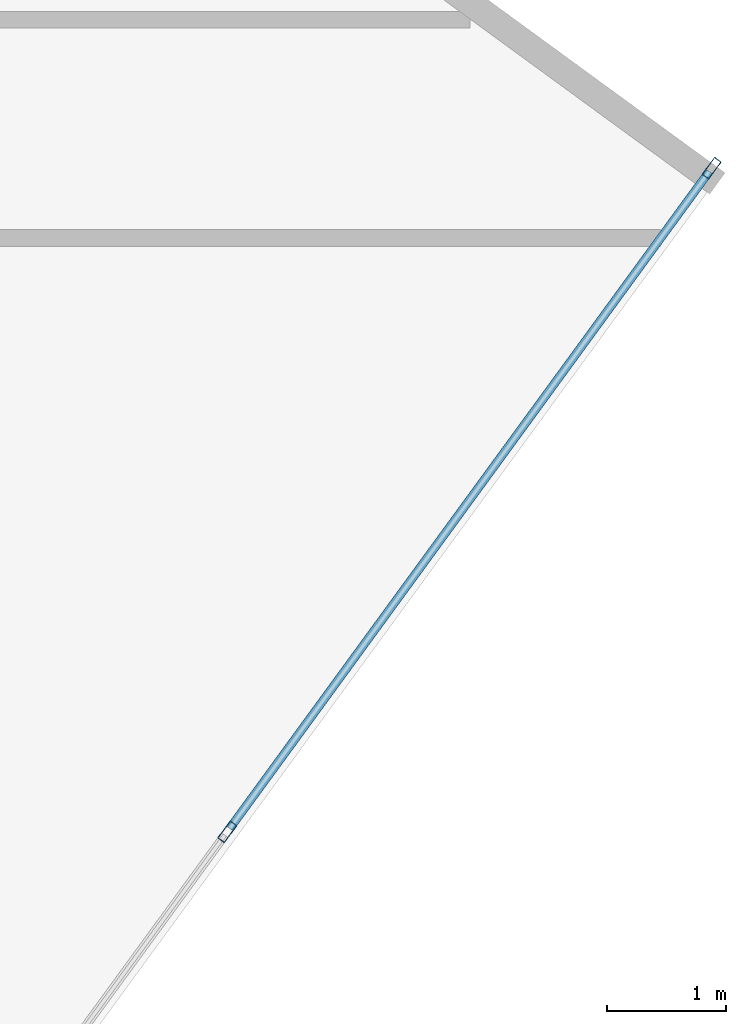
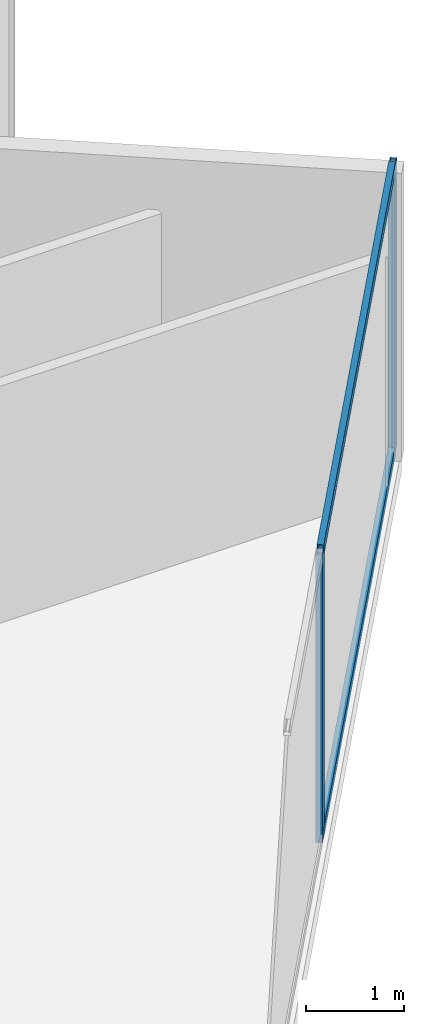
# One storey, part 11 of 25: 4 members, 1 element without a shape of its own.
"""IFC4 building model written with IfcOpenShell, lengths in metres."""

from ifc_helpers import new_model, si_unit, direction, frame, origin, origin_2d, place, context, subcontext, project, spatial, hollow_rectangle, extrude, source, transform, mapped, material, material_profile, profile_set, type_object, type_shapes, element, aggregate, save


model = new_model("IFC4")

# Units and contexts
model_context = context("Model", 3, precision=1e-05, world=origin(), true_north=direction((0.0, 1.0)))
body_context = subcontext(model_context, "Body", "Model", "MODEL_VIEW")
ifc_project = project(units=[si_unit("LENGTHUNIT", "METRE"), si_unit("AREAUNIT", "SQUARE_METRE"), si_unit("VOLUMEUNIT", "CUBIC_METRE"), si_unit("PLANEANGLEUNIT", "RADIAN"), si_unit("MASSUNIT", "GRAM", prefix="KILO")], contexts=[model_context])

# Site, building, storey
site_placement = place(None, origin())
site = spatial("IfcSite", under=ifc_project, at=site_placement, CompositionType="ELEMENT")
building_placement = place(site_placement, origin())
building = spatial("IfcBuilding", under=site, at=building_placement, Name="Krantzveldt Concourse Tower", CompositionType="ELEMENT")
storey_placement = place(building_placement, frame((0.0, 0.0, 197.550048828125)))
storey = spatial("IfcBuildingStorey", under=building, at=storey_placement, Name="L48", CompositionType="ELEMENT", Elevation=197.550048828125)

# Curtain wall, members
ifc_material = material(Name="Anodised aluminium 6063-T6", Category="aluminium")
curtain_wall_type = type_object("IfcCurtainWallType", Name="CW3", PredefinedType="USERDEFINED", material=ifc_material)
curtain_wall_placement = place(storey_placement, origin())
curtain_wall = element("IfcCurtainWall", 1, at=curtain_wall_placement, inside=storey, type_object=curtain_wall_type, Name="CW-L48-F07", ObjectType="UNITISED CURTAIN WALL", PredefinedType="USERDEFINED")
ifc_material_profile_1 = material_profile(ifc_material, hollow_rectangle(XDim=0.070068359375, YDim=0.179931640625, WallThickness=0.0048828125, at=origin_2d()), Name="Anodised aluminium 6063-T6", Category="aluminium")
ifc_profile_set_1 = profile_set([ifc_material_profile_1], Name="Anodised aluminium 6063-T6 - ALU-MULL 180x70x5")
member_type_1 = type_object("IfcMemberType", Name="CW-MUL-180", PredefinedType="MULLION", material=ifc_profile_set_1)
shared_shape_1 = source(origin(), body_context, "Body", "SweptSolid", [
    extrude(hollow_rectangle(XDim=0.070068359375, YDim=0.179931640625, WallThickness=0.0048828125, at=origin_2d()), origin(), (0.0, 0.0, 1.0), 3.58984375),
])
type_shapes(member_type_1, [shared_shape_1])
member_1_placement = place(storey_placement, frame((59.771484375, 22.274658203125, 0.0), z_axis=(0.0, 0.0, 1.0), x_axis=(-0.807732735781, 0.589548833895, 0.0)))
member_1 = element("IfcMember", 2, at=member_1_placement, type_object=member_type_1, Name="CW-Z34 mullion 5", PredefinedType="MULLION", context=body_context, shape_type="MappedRepresentation", body=[
    mapped(shared_shape_1, transform((0.0, 0.0, 0.0), x_axis=(1.0, 0.0, 0.0), y_axis=(0.0, 1.0, 0.0), z_axis=(0.0, 0.0, 1.0), scale=1.0)),
])
member_2_placement = place(storey_placement, frame((63.854248046875, 27.8681640625, 0.0), z_axis=(0.0, 0.0, 1.0), x_axis=(-0.807732735781, 0.589548833895, 0.0)))
member_2 = element("IfcMember", 3, at=member_2_placement, type_object=member_type_1, Name="CW-Z34 mullion 6", PredefinedType="MULLION", context=body_context, shape_type="MappedRepresentation", body=[
    mapped(shared_shape_1, transform((0.0, 0.0, 0.0), x_axis=(1.0, 0.0, 0.0), y_axis=(0.0, 1.0, 0.0), z_axis=(0.0, 0.0, 1.0), scale=1.0)),
])
ifc_material_profile_2 = material_profile(ifc_material, hollow_rectangle(XDim=0.070068359375, YDim=0.139892578125, WallThickness=0.0048828125, at=origin_2d()), Name="Anodised aluminium 6063-T6", Category="aluminium")
ifc_profile_set_2 = profile_set([ifc_material_profile_2], Name="Anodised aluminium 6063-T6 - ALU-TRAN 140x70x5")
member_type_2 = type_object("IfcMemberType", Name="CW-TRN-150", PredefinedType="USERDEFINED", material=ifc_profile_set_2)
shared_shape_2 = source(origin(), body_context, "Body", "SweptSolid", [
    extrude(hollow_rectangle(XDim=0.070068359375, YDim=0.139892578125, WallThickness=0.0048828125, at=origin_2d()), origin(), (0.0, 0.0, 1.0), 6.854736328125),
])
type_shapes(member_type_2, [shared_shape_2])
member_3_placement = place(storey_placement, frame((59.792236328125, 22.302978515625, 0.034912109375), z_axis=(0.589549465973, 0.807732274439, 0.0), x_axis=(-0.807732274439, 0.589549465973, 0.0)))
member_3 = element("IfcMember", 4, at=member_3_placement, type_object=member_type_2, Name="CW-Z34 transom 5.1", ObjectType="TRANSOM", PredefinedType="USERDEFINED", context=body_context, shape_type="MappedRepresentation", body=[
    mapped(shared_shape_2, transform((0.0, 0.0, 0.0), x_axis=(1.0, 0.0, 0.0), y_axis=(0.0, 1.0, 0.0), z_axis=(0.0, 0.0, 1.0), scale=1.0)),
])
member_4_placement = place(storey_placement, frame((59.792236328125, 22.302978515625, 3.554931640625), z_axis=(0.589549465973, 0.807732274439, 0.0), x_axis=(-0.807732274439, 0.589549465973, 0.0)))
member_4 = element("IfcMember", 5, at=member_4_placement, type_object=member_type_2, Name="CW-Z34 transom 5.2", ObjectType="TRANSOM", PredefinedType="USERDEFINED", context=body_context, shape_type="MappedRepresentation", body=[
    mapped(shared_shape_2, transform((0.0, 0.0, 0.0), x_axis=(1.0, 0.0, 0.0), y_axis=(0.0, 1.0, 0.0), z_axis=(0.0, 0.0, 1.0), scale=1.0)),
])
aggregate(curtain_wall, [member_1, member_2, member_3, member_4])

save(model, "model.ifc")
